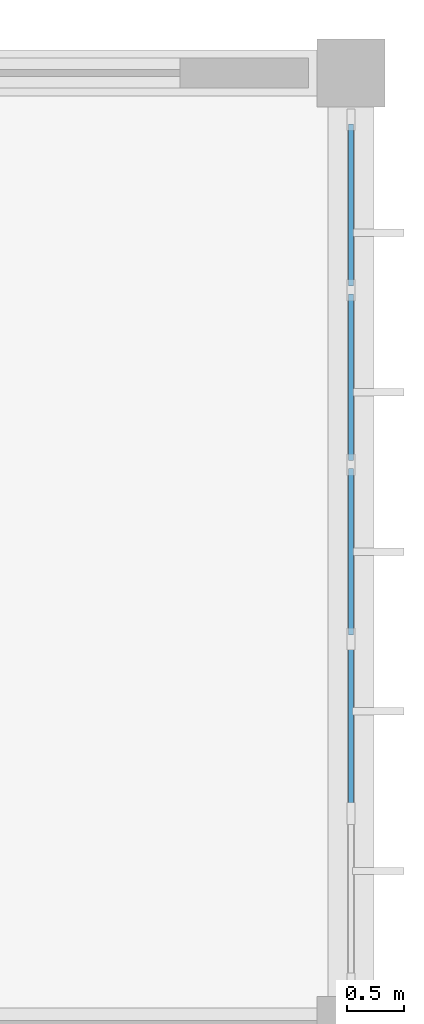
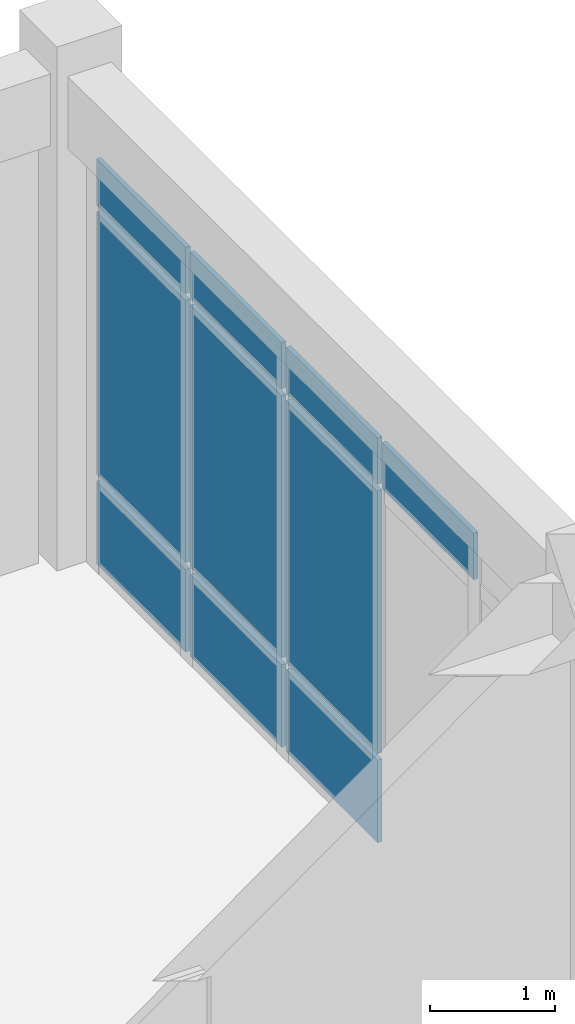
# One storey, part 86 of 134: 10 plates, 1 element without a shape of its own.
"""IFC4 building model written with IfcOpenShell, lengths in metres."""

import ifcopenshell
import ifcopenshell.guid

model = None  # the IFC model being written
_history = None  # IfcOwnerHistory: only IFC2X3 demands one
_inside = {}  # id of a spatial element -> (the spatial element, [elements in it])
_under = {}  # id of a project, library or spatial element -> (it, [spatial elements below it])
_declared = {}  # id of a project -> (the project, [libraries it declares])
_typed = {}  # id of a type object -> (the type object, [elements of that type])
_made_of = {}  # id of a material, layer set ... -> (it, [elements and type objects made of it])


def new_model(schema):
    """Start an empty IFC model of exactly this schema.

    Asked for "IFC4X3", IfcOpenShell would pick the latest addendum, in which some entities
    have other attributes; the version numbers below select the first issue.
    IFC2X3 requires an IfcOwnerHistory on every rooted entity: one is made here for all.
    """
    global model, _history
    if schema == "IFC4X3":
        model = ifcopenshell.file(schema_version=(4, 3, 0, 0))
    else:
        model = ifcopenshell.file(schema=schema)
    _inside.clear()
    _under.clear()
    _declared.clear()
    _typed.clear()
    _made_of.clear()
    _history = None
    if model.schema == "IFC2X3":
        org = make("IfcOrganization", Name="unknown")
        user = make(
            "IfcPersonAndOrganization",
            ThePerson=make("IfcPerson", FamilyName="unknown"),
            TheOrganization=org,
        )
        app = make(
            "IfcApplication",
            ApplicationDeveloper=org,
            Version="unknown",
            ApplicationFullName="unknown",
            ApplicationIdentifier="unknown",
        )
        _history = make(
            "IfcOwnerHistory",
            OwningUser=user,
            OwningApplication=app,
            ChangeAction="ADDED",
            CreationDate=0,
        )
    return model


def make(cls, **values):
    """One entity of the class cls with the attributes given. An attribute that is None is left unset."""
    return model.create_entity(
        cls, **{name: value for name, value in values.items() if value is not None}
    )


def rooted(cls, **values):
    """An entity with a GlobalId (a new one), such as an element, a storey or a relation."""
    return make(cls, GlobalId=ifcopenshell.guid.new(), OwnerHistory=_history, **values)


def si_unit(unit_type, name, prefix=None):
    """IfcSIUnit, for example si_unit("LENGTHUNIT", "METRE", prefix="MILLI")."""
    return make("IfcSIUnit", UnitType=unit_type, Prefix=prefix, Name=name)


def assignment(units):
    """IfcUnitAssignment: the units of a project."""
    return None if units is None else make("IfcUnitAssignment", Units=units)


def point(xyz):
    """IfcCartesianPoint."""
    return None if xyz is None else make("IfcCartesianPoint", Coordinates=xyz)


def direction(xyz):
    """IfcDirection."""
    return None if xyz is None else make("IfcDirection", DirectionRatios=xyz)


def frame(location, z_axis=None, x_axis=None):
    """IfcAxis2Placement3D, a coordinate frame: its origin and axes. An axis left out is left unset."""
    return make(
        "IfcAxis2Placement3D",
        Location=point(location),
        Axis=direction(z_axis),
        RefDirection=direction(x_axis),
    )


def frame_2d(location, x_axis=None):
    """IfcAxis2Placement2D, a coordinate frame in the plane: its origin and x axis."""
    return make(
        "IfcAxis2Placement2D", Location=point(location), RefDirection=direction(x_axis)
    )


def origin():
    """The frame at (0, 0, 0) with its axes left unset."""
    return frame((0.0, 0.0, 0.0))


def origin_2d():
    """The frame at (0, 0) in the plane with its x axis left unset."""
    return frame_2d((0.0, 0.0))


def place(relative_to, where):
    """IfcLocalPlacement: puts the frame where relative to a parent placement (None: the world)."""
    return make(
        "IfcLocalPlacement", PlacementRelTo=relative_to, RelativePlacement=where
    )


def context(
    kind, dimensions, precision=None, world=None, true_north=None, identifier=None
):
    """IfcGeometricRepresentationContext, for example the 3D "Model" context."""
    return make(
        "IfcGeometricRepresentationContext",
        ContextIdentifier=identifier,
        ContextType=kind,
        CoordinateSpaceDimension=dimensions,
        Precision=precision,
        WorldCoordinateSystem=world,
        TrueNorth=true_north,
    )


def subcontext(parent, identifier, kind, view, scale=None):
    """IfcGeometricRepresentationSubContext, for example "Body" below "Model"."""
    return make(
        "IfcGeometricRepresentationSubContext",
        ContextIdentifier=identifier,
        ContextType=kind,
        ParentContext=parent,
        TargetScale=scale,
        TargetView=view,
    )


def project(units=None, contexts=None):
    """IfcProject with its units and contexts."""
    return rooted(
        "IfcProject",
        Name="project",
        RepresentationContexts=contexts,
        UnitsInContext=assignment(units),
    )


def spatial(cls, under=None, at=None, **own):
    """A site, building, storey or space (cls), placed at a placement, below another one or the project."""
    s = rooted(cls, ObjectPlacement=at, **own)
    if under is not None:
        _under.setdefault(under.id(), (under, []))[1].append(s)
    return s


def profile(cls, at=None, kind="AREA", **sizes):
    """A parametric profile (cls). Its sizes go by their IFC names, for example OverallWidth=200.0."""
    return make(cls, ProfileType=kind, Position=at, **sizes)


def rectangle(**sizes):
    """IfcRectangleProfileDef."""
    return profile("IfcRectangleProfileDef", **sizes)


def extrude(swept, where, along, depth):
    """IfcExtrudedAreaSolid: the profile swept, set in the frame where, extruded along a direction by depth."""
    return make(
        "IfcExtrudedAreaSolid",
        SweptArea=swept,
        Position=where,
        ExtrudedDirection=direction(along),
        Depth=depth,
    )


def shape(context_of_items, identifier, shape_type, items):
    """IfcShapeRepresentation: the items that make up one representation, for example the "Body"."""
    return make(
        "IfcShapeRepresentation",
        ContextOfItems=context_of_items,
        RepresentationIdentifier=identifier,
        RepresentationType=shape_type,
        Items=items,
    )


def material(Name=None, Category=None):
    """IfcMaterial."""
    return make("IfcMaterial", Name=Name, Category=Category)


def layer(
    of_material, thickness, ventilated=None, Name=None, Category=None, Priority=None
):
    """IfcMaterialLayer: one layer of a wall or slab, of a material (None: an air gap)."""
    return make(
        "IfcMaterialLayer",
        Material=of_material,
        LayerThickness=thickness,
        IsVentilated=ventilated,
        Name=Name,
        Category=Category,
        Priority=Priority,
    )


def layer_set(layers, Name=None):
    """IfcMaterialLayerSet."""
    return make("IfcMaterialLayerSet", MaterialLayers=layers, LayerSetName=Name)


def made_of(thing, what):
    """Note that an element or type object is made of a material, layer set ...; save() writes the relation."""
    if what is not None:
        _made_of.setdefault(what.id(), (what, []))[1].append(thing)
    return thing


def type_object(cls, material=None, **own):
    """A type object (cls), such as IfcWallType, which elements share."""
    return made_of(rooted(cls, **own), material)


def element(
    cls,
    number,
    at=None,
    inside=None,
    cuts=None,
    type_object=None,
    material=None,
    context=None,
    identifier="Body",
    shape_type=None,
    held_by="IfcProductDefinitionShape",
    body=None,
    shapes=None,
    **own,
):
    """One element of the class cls, such as IfcWall. Its Tag is "e" and its number.

    at: its placement. inside: the storey or other place that contains it. cuts: it is an
    opening in that element (IfcRelVoidsElement). A single representation is given by context,
    identifier, shape_type and body (its items); several are given by shapes. held_by: the class
    of the entity that holds the representations. save() writes the other relations.
    """
    e = rooted(cls, Tag="e%d" % number, ObjectPlacement=at, **own)
    if body is not None:
        shapes = [shape(context, identifier, shape_type, body)]
    if shapes is not None:
        e.Representation = make(held_by, Representations=shapes)
    if inside is not None:
        _inside.setdefault(inside.id(), (inside, []))[1].append(e)
    if cuts is not None:
        rooted(
            "IfcRelVoidsElement", RelatingBuildingElement=cuts, RelatedOpeningElement=e
        )
    if type_object is not None:
        _typed.setdefault(type_object.id(), (type_object, []))[1].append(e)
    return made_of(e, material)


def aggregate(whole, parts):
    """IfcRelAggregates: a whole, such as a stair, and the parts it consists of."""
    return rooted("IfcRelAggregates", RelatingObject=whole, RelatedObjects=parts)


def save(model, path):
    """Write the relations noted so far, then the file.

    IfcRelAggregates (storeys below a building ...), IfcRelContainedInSpatialStructure (elements
    in a storey), IfcRelDefinesByType, IfcRelAssociatesMaterial and IfcRelDeclares: one each for
    every whole, place, type object, material and project.
    """
    for whole, parts in _under.values():
        aggregate(whole, parts)
    for where, things in _inside.values():
        rooted(
            "IfcRelContainedInSpatialStructure",
            RelatedElements=things,
            RelatingStructure=where,
        )
    for kind, things in _typed.values():
        rooted("IfcRelDefinesByType", RelatedObjects=things, RelatingType=kind)
    for what, things in _made_of.values():
        rooted("IfcRelAssociatesMaterial", RelatedObjects=things, RelatingMaterial=what)
    for by, libraries in _declared.values():
        rooted("IfcRelDeclares", RelatingContext=by, RelatedDefinitions=libraries)
    model.write(path)


model = new_model("IFC4")

# Units and contexts
model_context = context("Model", 3, precision=1e-05, world=origin(), true_north=direction((0.0, 1.0)))
body_context = subcontext(model_context, "Body", "Model", "MODEL_VIEW")
ifc_project = project(units=[si_unit("LENGTHUNIT", "METRE"), si_unit("AREAUNIT", "SQUARE_METRE"), si_unit("VOLUMEUNIT", "CUBIC_METRE"), si_unit("PLANEANGLEUNIT", "RADIAN"), si_unit("MASSUNIT", "GRAM", prefix="KILO")], contexts=[model_context])

# Site, building, storey
site_placement = place(None, origin())
site = spatial("IfcSite", under=ifc_project, at=site_placement, CompositionType="ELEMENT")
building_placement = place(site_placement, origin())
building = spatial("IfcBuilding", under=site, at=building_placement, Name="Bramfleet General Hospital", CompositionType="ELEMENT")
storey_placement = place(building_placement, frame((0.0, 0.0, 9.300048828125)))
storey = spatial("IfcBuildingStorey", under=building, at=storey_placement, Name="L02", CompositionType="ELEMENT", Elevation=9.300048828125)

# Curtain wall, plates
ifc_material_1 = material(Name="Anodised aluminium and low-E triple glazing", Category="aluminium")
ifc_layer_1 = layer(ifc_material_1, 0.179931640625, Name="CWT-CW-10")
ifc_layer_set_1 = layer_set([ifc_layer_1], Name="Anodised aluminium and low-E triple glazing")
curtain_wall_type = type_object("IfcCurtainWallType", Name="CWT-CW-10", PredefinedType="USERDEFINED", material=ifc_layer_set_1)
curtain_wall_placement = place(storey_placement, origin())
curtain_wall = element("IfcCurtainWall", 1, at=curtain_wall_placement, inside=storey, type_object=curtain_wall_type, Name="L02 Curtain Wall 100", ObjectType="Stick curtain wall", PredefinedType="USERDEFINED")
ifc_material_2 = material(Name="Low-E laminated safety glass", Category="glass")
ifc_layer_2 = layer(ifc_material_2, 0.0419921875, Name="CWP-GLZ-4")
ifc_layer_set_2 = layer_set([ifc_layer_2], Name="Low-E laminated safety glass")
plate_type = type_object("IfcPlateType", Name="CWP-GLZ-4", PredefinedType="CURTAIN_PANEL", material=ifc_layer_set_2)
plate_1_placement = place(storey_placement, frame((168.0, 116.4423828125, 0.06494140625), z_axis=(0.0, 0.0, 1.0), x_axis=(0.0, -1.0, 0.0)))
plate_1 = element("IfcPlate", 2, at=plate_1_placement, type_object=plate_type, Name="CW-10 panel 1.1", PredefinedType="CURTAIN_PANEL", context=body_context, shape_type="SweptSolid", body=[
    extrude(rectangle(XDim=1.425048828125, YDim=0.0419921875, at=origin_2d()), origin(), (0.0, 0.0, 1.0), 0.802490234375),
])
plate_2_placement = place(storey_placement, frame((168.0, 116.4423828125, 0.9326171875), z_axis=(0.0, 0.0, 1.0), x_axis=(0.0, -1.0, 0.0)))
plate_2 = element("IfcPlate", 3, at=plate_2_placement, type_object=plate_type, Name="CW-10 panel 1.2", PredefinedType="CURTAIN_PANEL", context=body_context, shape_type="SweptSolid", body=[
    extrude(rectangle(XDim=1.425048828125, YDim=0.0419921875, at=origin_2d()), origin(), (0.0, 0.0, 1.0), 2.554931640625),
])
plate_3_placement = place(storey_placement, frame((168.0, 116.4423828125, 3.552734375), z_axis=(0.0, 0.0, 1.0), x_axis=(0.0, -1.0, 0.0)))
plate_3 = element("IfcPlate", 4, at=plate_3_placement, type_object=plate_type, Name="CW-10 panel 1.3", PredefinedType="CURTAIN_PANEL", context=body_context, shape_type="SweptSolid", body=[
    extrude(rectangle(XDim=1.425048828125, YDim=0.0419921875, at=origin_2d()), origin(), (0.0, 0.0, 1.0), 0.452392578125),
])
plate_4_placement = place(storey_placement, frame((168.0, 114.929931640625, 0.06494140625), z_axis=(0.0, 0.0, 1.0), x_axis=(0.0, -1.0, 0.0)))
plate_4 = element("IfcPlate", 5, at=plate_4_placement, type_object=plate_type, Name="CW-10 panel 2.1", PredefinedType="CURTAIN_PANEL", context=body_context, shape_type="SweptSolid", body=[
    extrude(rectangle(XDim=1.4599609375, YDim=0.0419921875, at=origin_2d()), origin(), (0.0, 0.0, 1.0), 0.802490234375),
])
plate_5_placement = place(storey_placement, frame((168.0, 114.929931640625, 0.9326171875), z_axis=(0.0, 0.0, 1.0), x_axis=(0.0, -1.0, 0.0)))
plate_5 = element("IfcPlate", 6, at=plate_5_placement, type_object=plate_type, Name="CW-10 panel 2.2", PredefinedType="CURTAIN_PANEL", context=body_context, shape_type="SweptSolid", body=[
    extrude(rectangle(XDim=1.4599609375, YDim=0.0419921875, at=origin_2d()), origin(), (0.0, 0.0, 1.0), 2.554931640625),
])
plate_6_placement = place(storey_placement, frame((168.0, 114.929931640625, 3.552734375), z_axis=(0.0, 0.0, 1.0), x_axis=(0.0, -1.0, 0.0)))
plate_6 = element("IfcPlate", 7, at=plate_6_placement, type_object=plate_type, Name="CW-10 panel 2.3", PredefinedType="CURTAIN_PANEL", context=body_context, shape_type="SweptSolid", body=[
    extrude(rectangle(XDim=1.4599609375, YDim=0.0419921875, at=origin_2d()), origin(), (0.0, 0.0, 1.0), 0.452392578125),
])
plate_7_placement = place(storey_placement, frame((168.0, 113.39990234375, 0.06494140625), z_axis=(0.0, 0.0, 1.0), x_axis=(0.0, -1.0, 0.0)))
plate_7 = element("IfcPlate", 8, at=plate_7_placement, type_object=plate_type, Name="CW-10 panel 3.1", PredefinedType="CURTAIN_PANEL", context=body_context, shape_type="SweptSolid", body=[
    extrude(rectangle(XDim=1.4599609375, YDim=0.0419921875, at=origin_2d()), origin(), (0.0, 0.0, 1.0), 0.802490234375),
])
plate_8_placement = place(storey_placement, frame((168.0, 113.39990234375, 0.9326171875), z_axis=(0.0, 0.0, 1.0), x_axis=(0.0, -1.0, 0.0)))
plate_8 = element("IfcPlate", 9, at=plate_8_placement, type_object=plate_type, Name="CW-10 panel 3.2", PredefinedType="CURTAIN_PANEL", context=body_context, shape_type="SweptSolid", body=[
    extrude(rectangle(XDim=1.4599609375, YDim=0.0419921875, at=origin_2d()), origin(), (0.0, 0.0, 1.0), 2.554931640625),
])
plate_9_placement = place(storey_placement, frame((168.0, 113.39990234375, 3.552734375), z_axis=(0.0, 0.0, 1.0), x_axis=(0.0, -1.0, 0.0)))
plate_9 = element("IfcPlate", 10, at=plate_9_placement, type_object=plate_type, Name="CW-10 panel 3.3", PredefinedType="CURTAIN_PANEL", context=body_context, shape_type="SweptSolid", body=[
    extrude(rectangle(XDim=1.4599609375, YDim=0.0419921875, at=origin_2d()), origin(), (0.0, 0.0, 1.0), 0.452392578125),
])
plate_10_placement = place(storey_placement, frame((168.0, 111.8701171875, 3.552734375), z_axis=(0.0, 0.0, 1.0), x_axis=(0.0, -1.0, 0.0)))
plate_10 = element("IfcPlate", 11, at=plate_10_placement, type_object=plate_type, Name="CW-10 panel 4.3", PredefinedType="CURTAIN_PANEL", context=body_context, shape_type="SweptSolid", body=[
    extrude(rectangle(XDim=1.4599609375, YDim=0.0419921875, at=origin_2d()), origin(), (0.0, 0.0, 1.0), 0.452392578125),
])
aggregate(curtain_wall, [plate_1, plate_2, plate_3, plate_4, plate_5, plate_6, plate_7, plate_8, plate_9, plate_10])

save(model, "model.ifc")
